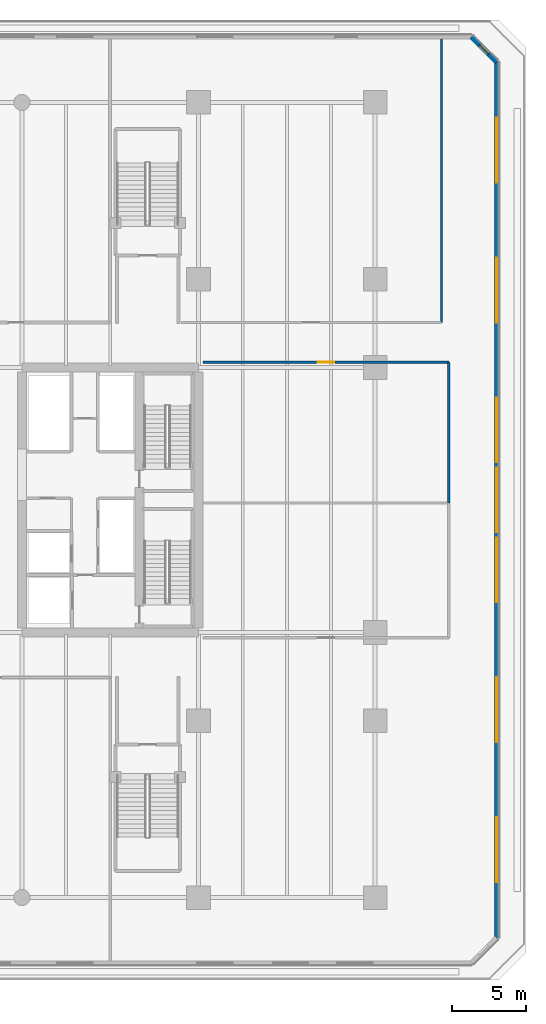
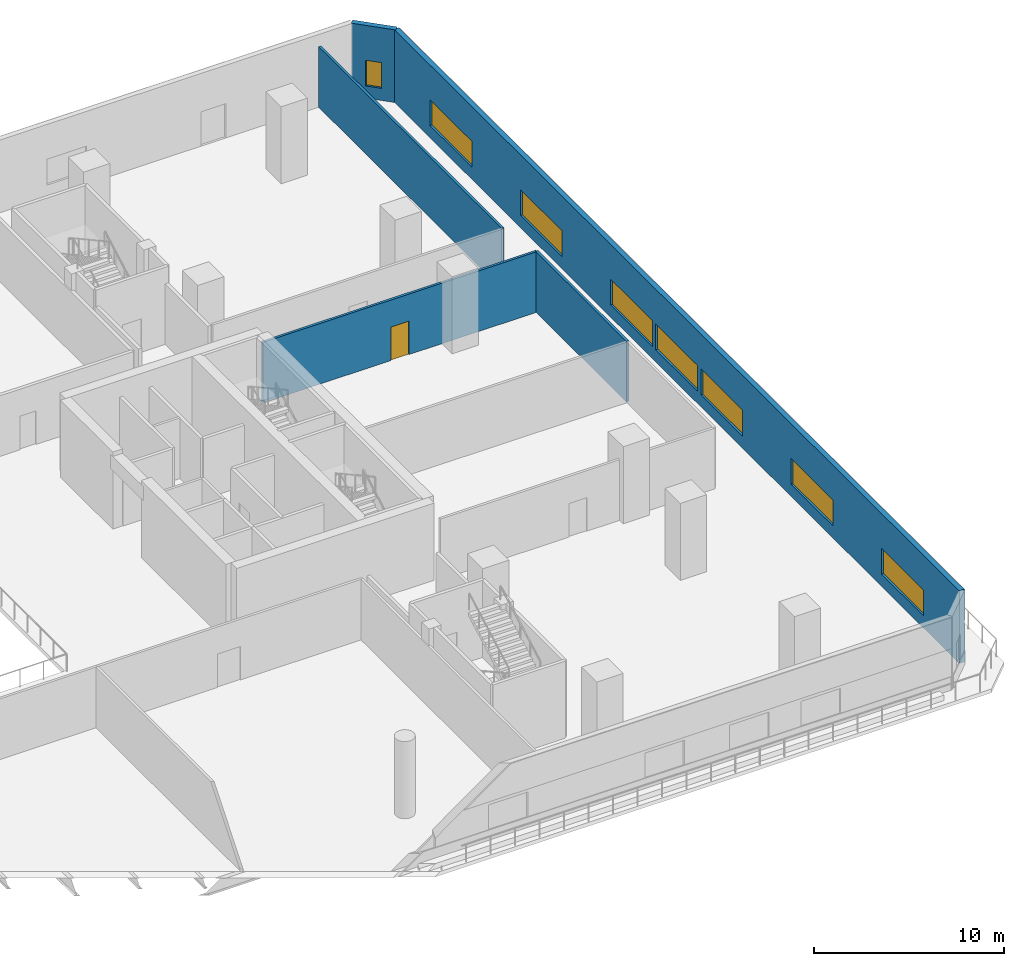
# One storey, part 16 of 27: 8 windows, 5 walls, 1 door, 9 openings.
"""IFC4 building model written with IfcOpenShell, lengths in metres."""

from ifc_helpers import new_model, si_unit, direction, frame, frame_2d, origin, place, context, subcontext, project, spatial, rectangle, extrude, material, layer, layer_set, type_object, element, fill, save


model = new_model("IFC4")

# Units and contexts
model_context = context("Model", 3, precision=1e-05, world=origin(), true_north=direction((0.0, 1.0)))
body_context = subcontext(model_context, "Body", "Model", "MODEL_VIEW")
ifc_project = project(units=[si_unit("LENGTHUNIT", "METRE"), si_unit("AREAUNIT", "SQUARE_METRE"), si_unit("VOLUMEUNIT", "CUBIC_METRE"), si_unit("PLANEANGLEUNIT", "RADIAN"), si_unit("MASSUNIT", "GRAM", prefix="KILO")], contexts=[model_context])

# Site, building, storey
site_placement = place(None, origin())
site = spatial("IfcSite", under=ifc_project, at=site_placement, CompositionType="ELEMENT")
building_placement = place(site_placement, origin())
building = spatial("IfcBuilding", under=site, at=building_placement, Name="Tanjung Sevakor Pilgrim Tower", CompositionType="ELEMENT")
storey_placement = place(building_placement, frame((0.0, 0.0, 9.89990234375)))
storey = spatial("IfcBuildingStorey", under=building, at=storey_placement, Name="L03", CompositionType="ELEMENT", Elevation=9.89990234375)

# Wall, opening, door
ifc_material_1 = material(Name="Concrete C40/50", Category="concrete")
ifc_layer_1 = layer(ifc_material_1, 0.14990234375)
ifc_layer_set_1 = layer_set([ifc_layer_1], Name="WT-COMP-150")
wall_type_1 = type_object("IfcWallType", Name="WT-COMP-150", PredefinedType="SOLIDWALL", material=ifc_layer_set_1)
wall_1_placement = place(storey_placement, frame((90.320068359375, 42.949951171875, 0.0), z_axis=(0.0, 0.0, 1.0), x_axis=(1.0, 0.0, 0.0)))
wall_1 = element("IfcWall", 1, at=wall_1_placement, inside=storey, type_object=wall_type_1, Name="L03 Partition IW-L03-060", PredefinedType="SOLIDWALL", context=body_context, shape_type="SweptSolid", body=[
    extrude(rectangle(XDim=16.679931640625, YDim=0.14990234375, at=frame_2d((8.33984375, 0.0))), origin(), (0.0, 0.0, 1.0), 3.889892578125),
])
opening_1_placement = place(wall_1_placement, frame((7.7900390625, 0.0, 0.0)))
opening_1 = element("IfcOpeningElement", 2, at=opening_1_placement, cuts=wall_1, Name="Opening ID-RM2", PredefinedType="OPENING", context=body_context, shape_type="SweptSolid", body=[
    extrude(rectangle(XDim=1.10009765625, YDim=2.14990234375, at=frame_2d((0.550048828125, 1.074951171875))), frame((0.0, 0.0849609375, 0.0), z_axis=(0.0, -1.0, 0.0), x_axis=(1.0, 0.0, 0.0)), (0.0, 0.0, 1.0), 0.169921875),
])
ifc_material_2 = material(Name="Hardwood Timber", Category="wood")
door_type = type_object("IfcDoorType", Name="DT-INT-1100", OperationType="NOTDEFINED", PredefinedType="DOOR", material=ifc_material_2)
door_placement = place(opening_1_placement, origin())
door = element("IfcDoor", 3, at=door_placement, inside=storey, type_object=door_type, Name="L03 Meeting Room 2 Door", OperationType="SINGLE_SWING_RIGHT", OverallHeight=2.14990234375, OverallWidth=1.10009765625, PredefinedType="DOOR", context=body_context, shape_type="SweptSolid", body=[
    extrude(rectangle(XDim=1.10009765625, YDim=2.14990234375, at=frame_2d((0.550048828125, 1.074951171875))), frame((0.0, 0.02490234375, 0.0), z_axis=(0.0, -1.0, 0.0), x_axis=(1.0, 0.0, 0.0)), (0.0, 0.0, 1.0), 0.050048828125),
])
fill(opening_1, door)

# Walls
wall_2_placement = place(storey_placement, frame((107.0, 33.39990234375, 0.0), z_axis=(0.0, 0.0, 1.0), x_axis=(0.0, 1.0, 0.0)))
element("IfcWall", 4, at=wall_2_placement, inside=storey, type_object=wall_type_1, Name="L03 Partition IW-L03-061", PredefinedType="SOLIDWALL", context=body_context, shape_type="SweptSolid", body=[
    extrude(rectangle(XDim=9.550048828125, YDim=0.14990234375, at=frame_2d((4.77490234375, 0.0))), origin(), (0.0, 0.0, 1.0), 3.889892578125),
])
wall_3_placement = place(storey_placement, frame((106.5, 45.64990234375, 0.0), z_axis=(0.0, 0.0, 1.0), x_axis=(0.0, 1.0, 0.0)))
element("IfcWall", 5, at=wall_3_placement, inside=storey, type_object=wall_type_1, Name="L03 Partition IW-L03-069", PredefinedType="SOLIDWALL", context=body_context, shape_type="SweptSolid", body=[
    extrude(rectangle(XDim=19.25, YDim=0.14990234375, at=frame_2d((9.625, 0.0))), origin(), (0.0, 0.0, 1.0), 3.889892578125),
])

# Wall, openings, windows
ifc_material_3 = material(Name="Precast concrete C45/55", Category="concrete")
ifc_layer_2 = layer(ifc_material_3, 0.300048828125)
ifc_layer_set_2 = layer_set([ifc_layer_2], Name="WT-EW-STN1")
wall_type_2 = type_object("IfcWallType", Name="WT-EW-STN1", PredefinedType="SOLIDWALL", material=ifc_layer_set_2)
wall_4_placement = place(storey_placement, frame((110.25, 3.862060546875, 0.0), z_axis=(0.0, 0.0, 1.0), x_axis=(0.0, 1.0, 0.0)))
wall_4 = element("IfcWall", 6, at=wall_4_placement, inside=storey, type_object=wall_type_2, Name="L03 MAIN Exterior Wall 3", PredefinedType="SOLIDWALL", context=body_context, shape_type="SweptSolid", body=[
    extrude(rectangle(XDim=59.475830078125, YDim=0.300048828125, at=frame_2d((29.73779296875, 0.0))), origin(), (0.0, 0.0, 1.0), 4.669921875),
])
opening_2_placement = place(wall_4_placement, frame((27.537841796875, 0.0, 0.780029296875)))
opening_2 = element("IfcOpeningElement", 7, at=opening_2_placement, cuts=wall_4, Name="Opening WN-ENDW-1660", PredefinedType="OPENING", context=body_context, shape_type="SweptSolid", body=[
    extrude(rectangle(XDim=4.39990234375, YDim=1.659912109375, at=frame_2d((2.199951171875, 0.830078125))), frame((0.0, 0.159912109375, 0.0), z_axis=(0.0, -1.0, 0.0), x_axis=(1.0, 0.0, 0.0)), (0.0, 0.0, 1.0), 0.320068359375),
])
opening_3_placement = place(wall_4_placement, frame((3.787841796875, 0.0, 0.780029296875)))
opening_3 = element("IfcOpeningElement", 8, at=opening_3_placement, cuts=wall_4, Name="Opening WN-ENDW-1660", PredefinedType="OPENING", context=body_context, shape_type="SweptSolid", body=[
    extrude(rectangle(XDim=4.39990234375, YDim=1.659912109375, at=frame_2d((2.199951171875, 0.830078125))), frame((0.0, 0.159912109375, 0.0), z_axis=(0.0, -1.0, 0.0), x_axis=(1.0, 0.0, 0.0)), (0.0, 0.0, 1.0), 0.320068359375),
])
opening_4_placement = place(wall_4_placement, frame((13.287841796875, 0.0, 0.780029296875)))
opening_4 = element("IfcOpeningElement", 9, at=opening_4_placement, cuts=wall_4, Name="Opening WN-ENDW-1660", PredefinedType="OPENING", context=body_context, shape_type="SweptSolid", body=[
    extrude(rectangle(XDim=4.39990234375, YDim=1.659912109375, at=frame_2d((2.199951171875, 0.830078125))), frame((0.0, 0.159912109375, 0.0), z_axis=(0.0, -1.0, 0.0), x_axis=(1.0, 0.0, 0.0)), (0.0, 0.0, 1.0), 0.320068359375),
])
opening_5_placement = place(wall_4_placement, frame((22.787841796875, 0.0, 0.780029296875)))
opening_5 = element("IfcOpeningElement", 10, at=opening_5_placement, cuts=wall_4, Name="Opening WN-ENDW-1660", PredefinedType="OPENING", context=body_context, shape_type="SweptSolid", body=[
    extrude(rectangle(XDim=4.39990234375, YDim=1.659912109375, at=frame_2d((2.199951171875, 0.830078125))), frame((0.0, 0.159912109375, 0.0), z_axis=(0.0, -1.0, 0.0), x_axis=(1.0, 0.0, 0.0)), (0.0, 0.0, 1.0), 0.320068359375),
])
opening_6_placement = place(wall_4_placement, frame((32.287841796875, 0.0, 0.780029296875)))
opening_6 = element("IfcOpeningElement", 11, at=opening_6_placement, cuts=wall_4, Name="Opening WN-ENDW-1660", PredefinedType="OPENING", context=body_context, shape_type="SweptSolid", body=[
    extrude(rectangle(XDim=4.39990234375, YDim=1.659912109375, at=frame_2d((2.199951171875, 0.830078125))), frame((0.0, 0.159912109375, 0.0), z_axis=(0.0, -1.0, 0.0), x_axis=(1.0, 0.0, 0.0)), (0.0, 0.0, 1.0), 0.320068359375),
])
opening_7_placement = place(wall_4_placement, frame((41.787841796875, 0.0, 0.780029296875)))
opening_7 = element("IfcOpeningElement", 12, at=opening_7_placement, cuts=wall_4, Name="Opening WN-ENDW-1660", PredefinedType="OPENING", context=body_context, shape_type="SweptSolid", body=[
    extrude(rectangle(XDim=4.39990234375, YDim=1.659912109375, at=frame_2d((2.199951171875, 0.830078125))), frame((0.0, 0.159912109375, 0.0), z_axis=(0.0, -1.0, 0.0), x_axis=(1.0, 0.0, 0.0)), (0.0, 0.0, 1.0), 0.320068359375),
])
opening_8_placement = place(wall_4_placement, frame((51.287841796875, 0.0, 0.780029296875)))
opening_8 = element("IfcOpeningElement", 13, at=opening_8_placement, cuts=wall_4, Name="Opening WN-ENDW-1660", PredefinedType="OPENING", context=body_context, shape_type="SweptSolid", body=[
    extrude(rectangle(XDim=4.39990234375, YDim=1.659912109375, at=frame_2d((2.199951171875, 0.830078125))), frame((0.0, 0.159912109375, 0.0), z_axis=(0.0, -1.0, 0.0), x_axis=(1.0, 0.0, 0.0)), (0.0, 0.0, 1.0), 0.320068359375),
])
ifc_material_4 = material(Name="Thermally Broken Aluminium and Low-E Glass", Category="aluminium")
window_type_1 = type_object("IfcWindowType", Name="WTYP-WN-ENDW-1660", PartitioningType="DOUBLE_PANEL_VERTICAL", PredefinedType="WINDOW", material=ifc_material_4)
window_1_placement = place(opening_2_placement, origin())
window_1 = element("IfcWindow", 14, at=window_1_placement, inside=storey, type_object=window_type_1, Name="L03 Facade Window 01", OverallHeight=1.659912109375, OverallWidth=4.39990234375, PartitioningType="SINGLE_PANEL", PredefinedType="WINDOW", context=body_context, shape_type="SweptSolid", body=[
    extrude(rectangle(XDim=4.39990234375, YDim=1.659912109375, at=frame_2d((2.199951171875, 0.830078125))), frame((0.0, 0.030029296875, 0.0), z_axis=(0.0, -1.0, 0.0), x_axis=(1.0, 0.0, 0.0)), (0.0, 0.0, 1.0), 0.06005859375),
])
fill(opening_2, window_1)
window_2_placement = place(opening_3_placement, origin())
window_2 = element("IfcWindow", 15, at=window_2_placement, inside=storey, type_object=window_type_1, Name="L03 Facade Window 02", OverallHeight=1.659912109375, OverallWidth=4.39990234375, PartitioningType="SINGLE_PANEL", PredefinedType="WINDOW", context=body_context, shape_type="SweptSolid", body=[
    extrude(rectangle(XDim=4.39990234375, YDim=1.659912109375, at=frame_2d((2.199951171875, 0.830078125))), frame((0.0, 0.030029296875, 0.0), z_axis=(0.0, -1.0, 0.0), x_axis=(1.0, 0.0, 0.0)), (0.0, 0.0, 1.0), 0.06005859375),
])
fill(opening_3, window_2)
window_3_placement = place(opening_4_placement, origin())
window_3 = element("IfcWindow", 16, at=window_3_placement, inside=storey, type_object=window_type_1, Name="L03 Facade Window 03", OverallHeight=1.659912109375, OverallWidth=4.39990234375, PartitioningType="SINGLE_PANEL", PredefinedType="WINDOW", context=body_context, shape_type="SweptSolid", body=[
    extrude(rectangle(XDim=4.39990234375, YDim=1.659912109375, at=frame_2d((2.199951171875, 0.830078125))), frame((0.0, 0.030029296875, 0.0), z_axis=(0.0, -1.0, 0.0), x_axis=(1.0, 0.0, 0.0)), (0.0, 0.0, 1.0), 0.06005859375),
])
fill(opening_4, window_3)
window_4_placement = place(opening_5_placement, origin())
window_4 = element("IfcWindow", 17, at=window_4_placement, inside=storey, type_object=window_type_1, Name="L03 Facade Window 04", OverallHeight=1.659912109375, OverallWidth=4.39990234375, PartitioningType="SINGLE_PANEL", PredefinedType="WINDOW", context=body_context, shape_type="SweptSolid", body=[
    extrude(rectangle(XDim=4.39990234375, YDim=1.659912109375, at=frame_2d((2.199951171875, 0.830078125))), frame((0.0, 0.030029296875, 0.0), z_axis=(0.0, -1.0, 0.0), x_axis=(1.0, 0.0, 0.0)), (0.0, 0.0, 1.0), 0.06005859375),
])
fill(opening_5, window_4)
window_5_placement = place(opening_6_placement, origin())
window_5 = element("IfcWindow", 18, at=window_5_placement, inside=storey, type_object=window_type_1, Name="L03 Facade Window 05", OverallHeight=1.659912109375, OverallWidth=4.39990234375, PartitioningType="SINGLE_PANEL", PredefinedType="WINDOW", context=body_context, shape_type="SweptSolid", body=[
    extrude(rectangle(XDim=4.39990234375, YDim=1.659912109375, at=frame_2d((2.199951171875, 0.830078125))), frame((0.0, 0.030029296875, 0.0), z_axis=(0.0, -1.0, 0.0), x_axis=(1.0, 0.0, 0.0)), (0.0, 0.0, 1.0), 0.06005859375),
])
fill(opening_6, window_5)
window_6_placement = place(opening_7_placement, origin())
window_6 = element("IfcWindow", 19, at=window_6_placement, inside=storey, type_object=window_type_1, Name="L03 Facade Window 06", OverallHeight=1.659912109375, OverallWidth=4.39990234375, PartitioningType="SINGLE_PANEL", PredefinedType="WINDOW", context=body_context, shape_type="SweptSolid", body=[
    extrude(rectangle(XDim=4.39990234375, YDim=1.659912109375, at=frame_2d((2.199951171875, 0.830078125))), frame((0.0, 0.030029296875, 0.0), z_axis=(0.0, -1.0, 0.0), x_axis=(1.0, 0.0, 0.0)), (0.0, 0.0, 1.0), 0.06005859375),
])
fill(opening_7, window_6)
window_7_placement = place(opening_8_placement, origin())
window_7 = element("IfcWindow", 20, at=window_7_placement, inside=storey, type_object=window_type_1, Name="L03 Facade Window 07", OverallHeight=1.659912109375, OverallWidth=4.39990234375, PartitioningType="SINGLE_PANEL", PredefinedType="WINDOW", context=body_context, shape_type="SweptSolid", body=[
    extrude(rectangle(XDim=4.39990234375, YDim=1.659912109375, at=frame_2d((2.199951171875, 0.830078125))), frame((0.0, 0.030029296875, 0.0), z_axis=(0.0, -1.0, 0.0), x_axis=(1.0, 0.0, 0.0)), (0.0, 0.0, 1.0), 0.06005859375),
])
fill(opening_8, window_7)

# Wall, opening, window
wall_5_placement = place(storey_placement, frame((110.25, 63.337890625, 0.0), z_axis=(0.0, 0.0, 1.0), x_axis=(-0.707106781187, 0.707106781187, 0.0)))
wall_5 = element("IfcWall", 21, at=wall_5_placement, inside=storey, type_object=wall_type_2, Name="L03 MAIN Exterior Wall 4", PredefinedType="SOLIDWALL", context=body_context, shape_type="SweptSolid", body=[
    extrude(rectangle(XDim=2.42138671875, YDim=0.300048828125, at=frame_2d((1.210693359375, 0.0))), origin(), (0.0, 0.0, 1.0), 4.669921875),
])
opening_9_placement = place(wall_5_placement, frame((0.78564453125, 0.0, 0.780029296875)))
opening_9 = element("IfcOpeningElement", 22, at=opening_9_placement, cuts=wall_5, Name="Opening WN-SLM", PredefinedType="OPENING", context=body_context, shape_type="SweptSolid", body=[
    extrude(rectangle(XDim=0.85009765625, YDim=1.64990234375, at=frame_2d((0.425048828125, 0.824951171875))), frame((0.0, 0.159912109375, 0.0), z_axis=(0.0, -1.0, 0.0), x_axis=(1.0, 0.0, 0.0)), (0.0, 0.0, 1.0), 0.320068359375),
])
ifc_material_5 = material(Name="Thermally Broken Aluminium and Low-E Glass", Category="aluminium")
window_type_2 = type_object("IfcWindowType", Name="WTYP-WN-SLM", PartitioningType="SINGLE_PANEL", PredefinedType="WINDOW", material=ifc_material_5)
window_8_placement = place(opening_9_placement, origin())
window_8 = element("IfcWindow", 23, at=window_8_placement, inside=storey, type_object=window_type_2, Name="L03 Facade Window 01", OverallHeight=1.64990234375, OverallWidth=0.85009765625, PartitioningType="SINGLE_PANEL", PredefinedType="WINDOW", context=body_context, shape_type="SweptSolid", body=[
    extrude(rectangle(XDim=0.85009765625, YDim=1.64990234375, at=frame_2d((0.425048828125, 0.824951171875))), frame((0.0, 0.030029296875, 0.0), z_axis=(0.0, -1.0, 0.0), x_axis=(1.0, 0.0, 0.0)), (0.0, 0.0, 1.0), 0.06005859375),
])
fill(opening_9, window_8)

save(model, "model.ifc")
